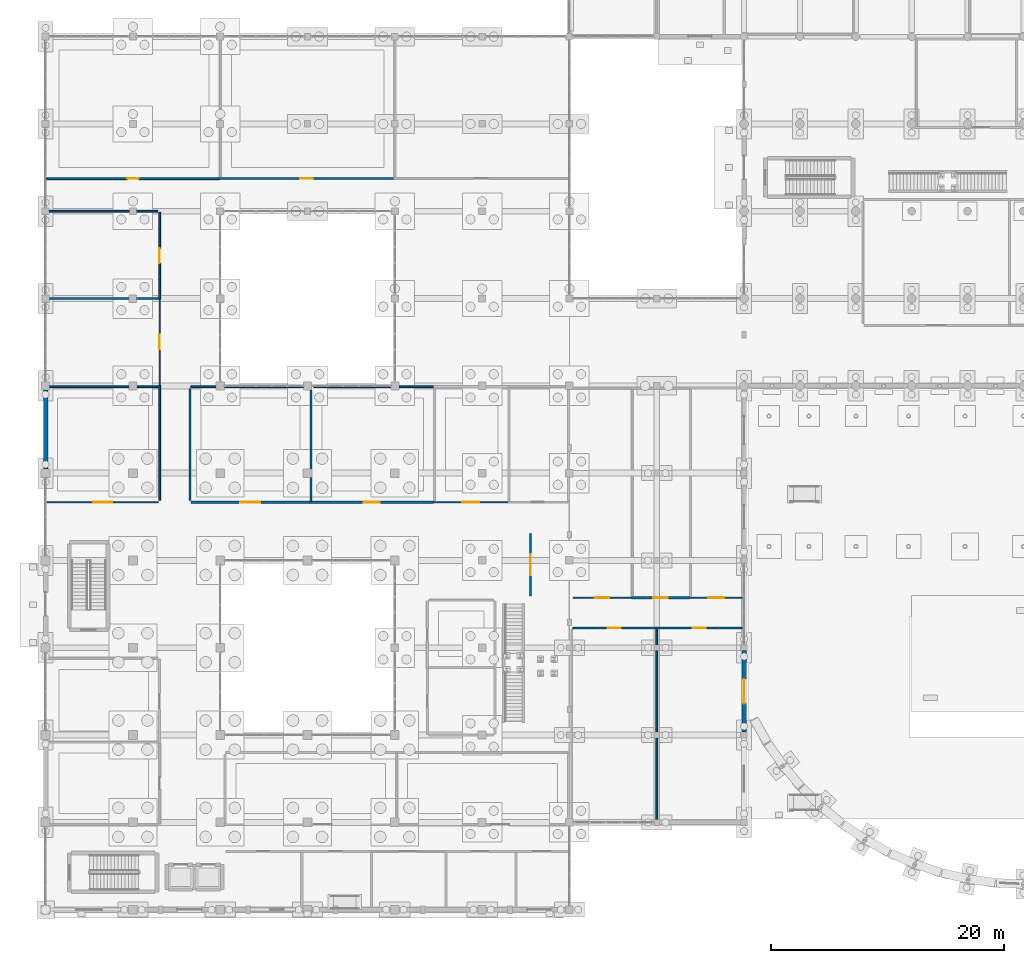
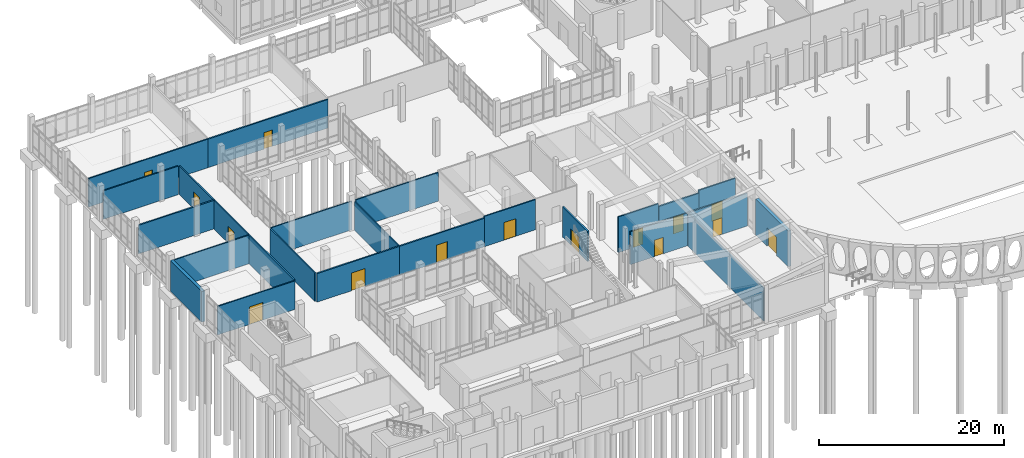
# One storey, part 149 of 173: 25 walls, 15 doors, 15 openings.
"""IFC4 building model written with IfcOpenShell, lengths in metres."""

from ifc_helpers import new_model, si_unit, direction, frame, frame_2d, origin, place, context, subcontext, project, spatial, rectangle, extrude, material, layer, layer_set, type_object, element, fill, save


model = new_model("IFC4")

# Units and contexts
model_context = context("Model", 3, precision=1e-05, world=origin(), true_north=direction((0.0, 1.0)))
body_context = subcontext(model_context, "Body", "Model", "MODEL_VIEW")
ifc_project = project(units=[si_unit("LENGTHUNIT", "METRE"), si_unit("AREAUNIT", "SQUARE_METRE"), si_unit("VOLUMEUNIT", "CUBIC_METRE"), si_unit("PLANEANGLEUNIT", "RADIAN"), si_unit("MASSUNIT", "GRAM", prefix="KILO")], contexts=[model_context])

# Site, building, storey
site_placement = place(None, origin())
site = spatial("IfcSite", under=ifc_project, at=site_placement, CompositionType="ELEMENT")
building_placement = place(site_placement, origin())
building = spatial("IfcBuilding", under=site, at=building_placement, Name="Mawjan Specialist Oncology Clinic", CompositionType="ELEMENT")
storey_placement = place(building_placement, origin())
storey = spatial("IfcBuildingStorey", under=building, at=storey_placement, Name="L00", CompositionType="ELEMENT", Elevation=0.0)

# Wall
ifc_material_1 = material(Name="Precast concrete C40/50", Category="concrete")
ifc_layer_1 = layer(ifc_material_1, 0.3798828125, Name="Precast concrete C40/50", Category="concrete")
ifc_layer_set_1 = layer_set([ifc_layer_1], Name="Precast concrete C40/50")
wall_type_1 = type_object("IfcWallType", Name="EW-380", PredefinedType="SOLIDWALL", material=ifc_layer_set_1)
wall_1_placement = place(storey_placement, frame((0.0, 38.675048828125, 0.0), z_axis=(0.0, 0.0, 1.0), x_axis=(0.0, 1.0, 0.0)))
element("IfcWall", 1, at=wall_1_placement, inside=storey, type_object=wall_type_1, Name="L00 Coral-Limestone Exterior Wall EW-L00-014", PredefinedType="SOLIDWALL", context=body_context, shape_type="SweptSolid", body=[
    extrude(rectangle(XDim=6.77490234375, YDim=0.3798828125, at=frame_2d((3.387451171875, 0.0))), origin(), (0.0, 0.0, 1.0), 4.034912109375),
])

# Wall, opening, door
wall_2_placement = place(storey_placement, frame((60.0, 23.050048828125, 0.0), z_axis=(0.0, 0.0, 1.0), x_axis=(0.0, -1.0, 0.0)))
wall_2 = element("IfcWall", 2, at=wall_2_placement, inside=storey, type_object=wall_type_1, Name="L00 Coral-Limestone Exterior Wall EW-L00-057", PredefinedType="SOLIDWALL", context=body_context, shape_type="SweptSolid", body=[
    extrude(rectangle(XDim=7.0, YDim=0.3798828125, at=frame_2d((3.5, 0.0))), origin(), (0.0, 0.0, 1.0), 4.699951171875),
])
opening_1_placement = place(wall_2_placement, frame((2.449951171875, 0.0, 0.0)))
opening_1 = element("IfcOpeningElement", 3, at=opening_1_placement, cuts=wall_2, Name="Opening DE-210", PredefinedType="OPENING", context=body_context, shape_type="SweptSolid", body=[
    extrude(rectangle(XDim=2.10009765625, YDim=2.39990234375, at=frame_2d((1.050048828125, 1.199951171875))), frame((0.0, 0.201904296875, 0.0), z_axis=(0.0, -1.0, 0.0), x_axis=(1.0, 0.0, 0.0)), (0.0, 0.0, 1.0), 0.40380859375),
])
ifc_material_2 = material(Name="Insulated marine-grade aluminium entrance assembly", Category="aluminium")
door_type_1 = type_object("IfcDoorType", Name="DE-210", OperationType="DOUBLE_DOOR_SINGLE_SWING", PredefinedType="DOOR", material=ifc_material_2)
door_1_placement = place(opening_1_placement, origin())
door_1 = element("IfcDoor", 4, at=door_1_placement, inside=storey, type_object=door_type_1, Name="Main Pedestrian Final Exit Door E-12", OperationType="DOUBLE_DOOR_SINGLE_SWING", OverallHeight=2.39990234375, OverallWidth=2.10009765625, PredefinedType="DOOR", context=body_context, shape_type="SweptSolid", body=[
    extrude(rectangle(XDim=2.10009765625, YDim=2.39990234375, at=frame_2d((1.050048828125, 1.199951171875))), frame((0.0, 0.02490234375, 0.0), z_axis=(0.0, -1.0, 0.0), x_axis=(1.0, 0.0, 0.0)), (0.0, 0.0, 1.0), 0.050048828125),
])
fill(opening_1, door_1)

ifc_material_3 = material(Name="Acoustic gypsum clinical partition", Category="gypsum")
ifc_layer_2 = layer(ifc_material_3, 0.14990234375, Name="Acoustic gypsum clinical partition", Category="gypsum")
ifc_layer_set_2 = layer_set([ifc_layer_2], Name="Acoustic gypsum clinical partition")
wall_type_2 = type_object("IfcWallType", Name="WP-150", PredefinedType="PARTITIONING", material=ifc_layer_set_2)
wall_3_placement = place(storey_placement, frame((0.10205078125, 35.800048828125, 0.0), z_axis=(0.0, 0.0, 1.0), x_axis=(1.0, 0.0, 0.0)))
wall_3 = element("IfcWall", 5, at=wall_3_placement, inside=storey, type_object=wall_type_2, Name="L00 Interior Partition W-INT-L00-006-C", PredefinedType="PARTITIONING", context=body_context, shape_type="SweptSolid", body=[
    extrude(rectangle(XDim=9.613037109375, YDim=0.14990234375, at=frame_2d((4.806640625, 0.0))), origin(), (0.0, 0.0, 1.0), 3.764892578125),
])
opening_2_placement = place(wall_3_placement, frame((3.9814453125, 0.0, 0.0)))
opening_2 = element("IfcOpeningElement", 6, at=opening_2_placement, cuts=wall_3, Name="Opening DC-165", PredefinedType="OPENING", context=body_context, shape_type="SweptSolid", body=[
    extrude(rectangle(XDim=1.64990234375, YDim=2.320068359375, at=frame_2d((0.824951171875, 1.16015625))), frame((0.0, 0.0869140625, 0.0), z_axis=(0.0, -1.0, 0.0), x_axis=(1.0, 0.0, 0.0)), (0.0, 0.0, 1.0), 0.173828125),
])
ifc_material_4 = material(Name="Acoustic laminate hospital door leaf", Category="wood")
door_type_2 = type_object("IfcDoorType", Name="DC-165", OperationType="NOTDEFINED", PredefinedType="DOOR", material=ifc_material_4)
door_2_placement = place(opening_2_placement, origin())
door_2 = element("IfcDoor", 7, at=door_2_placement, inside=storey, type_object=door_type_2, Name="L00 Medical Oncology Consulting Room Door", OperationType="SINGLE_SWING_LEFT", OverallHeight=2.320068359375, OverallWidth=1.64990234375, PredefinedType="DOOR", context=body_context, shape_type="SweptSolid", body=[
    extrude(rectangle(XDim=1.64990234375, YDim=2.320068359375, at=frame_2d((0.824951171875, 1.16015625))), frame((0.0, 0.02490234375, 0.0), z_axis=(0.0, -1.0, 0.0), x_axis=(1.0, 0.0, 0.0)), (0.0, 0.0, 1.0), 0.050048828125),
])
fill(opening_2, door_2)

wall_4_placement = place(storey_placement, frame((33.326904296875, 35.800048828125, 0.0), z_axis=(0.0, 0.0, 1.0), x_axis=(1.0, 0.0, 0.0)))
wall_4 = element("IfcWall", 8, at=wall_4_placement, inside=storey, type_object=wall_type_2, Name="L00 Interior Partition W-INT-L00-009-C", PredefinedType="PARTITIONING", context=body_context, shape_type="SweptSolid", body=[
    extrude(rectangle(XDim=6.38818359375, YDim=0.14990234375, at=frame_2d((3.194091796875, 0.0))), origin(), (0.0, 0.0, 1.0), 3.985107421875),
])
opening_3_placement = place(wall_4_placement, frame((2.47412109375, 0.0, 0.0)))
opening_3 = element("IfcOpeningElement", 9, at=opening_3_placement, cuts=wall_4, Name="Opening DM-CT", PredefinedType="OPENING", context=body_context, shape_type="SweptSolid", body=[
    extrude(rectangle(XDim=1.43994140625, YDim=2.320068359375, at=frame_2d((0.719970703125, 1.16015625))), frame((0.0, 0.0869140625, 0.0), z_axis=(0.0, -1.0, 0.0), x_axis=(1.0, 0.0, 0.0)), (0.0, 0.0, 1.0), 0.173828125),
])
ifc_material_5 = material(Name="Acoustic laminate hospital door leaf", Category="wood")
door_type_3 = type_object("IfcDoorType", Name="DM-CT", OperationType="NOTDEFINED", PredefinedType="DOOR", material=ifc_material_5)
door_3_placement = place(opening_3_placement, origin())
door_3 = element("IfcDoor", 10, at=door_3_placement, inside=storey, type_object=door_type_3, Name="L00 Quiet Prayer Room Door", OperationType="SINGLE_SWING_LEFT", OverallHeight=2.320068359375, OverallWidth=1.43994140625, PredefinedType="DOOR", context=body_context, shape_type="SweptSolid", body=[
    extrude(rectangle(XDim=1.43994140625, YDim=2.320068359375, at=frame_2d((0.719970703125, 1.16015625))), frame((0.0, 0.02490234375, 0.0), z_axis=(0.0, -1.0, 0.0), x_axis=(1.0, 0.0, 0.0)), (0.0, 0.0, 1.0), 0.050048828125),
])
fill(opening_3, door_3)

wall_5_placement = place(storey_placement, frame((9.800048828125, 45.885009765625, 0.0), z_axis=(0.0, 0.0, 1.0), x_axis=(0.0, 1.0, 0.0)))
wall_5 = element("IfcWall", 11, at=wall_5_placement, inside=storey, type_object=wall_type_2, Name="L00 Interior Partition W-INT-L00-015-V", PredefinedType="PARTITIONING", context=body_context, shape_type="SweptSolid", body=[
    extrude(rectangle(XDim=7.330078125, YDim=0.14990234375, at=frame_2d((3.6650390625, 0.0))), origin(), (0.0, 0.0, 1.0), 3.764892578125),
])
opening_4_placement = place(wall_5_placement, frame((3.044921875, 0.0, 0.0)))
opening_4 = element("IfcOpeningElement", 12, at=opening_4_placement, cuts=wall_5, Name="Opening DC-124", PredefinedType="OPENING", context=body_context, shape_type="SweptSolid", body=[
    extrude(rectangle(XDim=1.239990234375, YDim=2.199951171875, at=frame_2d((0.6201171875, 1.10009765625))), frame((0.0, 0.0869140625, 0.0), z_axis=(0.0, -1.0, 0.0), x_axis=(1.0, 0.0, 0.0)), (0.0, 0.0, 1.0), 0.173828125),
])
ifc_material_6 = material(Name="Acoustic laminate hospital door leaf", Category="wood")
door_type_4 = type_object("IfcDoorType", Name="DC-124", OperationType="NOTDEFINED", PredefinedType="DOOR", material=ifc_material_6)
door_4_placement = place(opening_4_placement, origin())
door_4 = element("IfcDoor", 13, at=door_4_placement, inside=storey, type_object=door_type_4, Name="L00 Audiology Testing Room Door", OperationType="SINGLE_SWING_LEFT", OverallHeight=2.199951171875, OverallWidth=1.239990234375, PredefinedType="DOOR", context=body_context, shape_type="SweptSolid", body=[
    extrude(rectangle(XDim=1.239990234375, YDim=2.199951171875, at=frame_2d((0.6201171875, 1.10009765625))), frame((0.0, 0.02490234375, 0.0), z_axis=(0.0, -1.0, 0.0), x_axis=(1.0, 0.0, 0.0)), (0.0, 0.0, 1.0), 0.050048828125),
])
fill(opening_4, door_4)

wall_6_placement = place(storey_placement, frame((9.800048828125, 53.22705078125, 0.0), z_axis=(0.0, 0.0, 1.0), x_axis=(0.0, 1.0, 0.0)))
wall_6 = element("IfcWall", 14, at=wall_6_placement, inside=storey, type_object=wall_type_2, Name="L00 Interior Partition W-INT-L00-016-V", PredefinedType="PARTITIONING", context=body_context, shape_type="SweptSolid", body=[
    extrude(rectangle(XDim=7.488037109375, YDim=0.14990234375, at=frame_2d((3.744140625, 0.0))), origin(), (0.0, 0.0, 1.0), 3.764892578125),
])
opening_5_placement = place(wall_6_placement, frame((3.10400390625, 0.0, 0.0)))
opening_5 = element("IfcOpeningElement", 15, at=opening_5_placement, cuts=wall_6, Name="Opening DC-128", PredefinedType="OPENING", context=body_context, shape_type="SweptSolid", body=[
    extrude(rectangle(XDim=1.280029296875, YDim=2.219970703125, at=frame_2d((0.64013671875, 1.10986328125))), frame((0.0, 0.0869140625, 0.0), z_axis=(0.0, -1.0, 0.0), x_axis=(1.0, 0.0, 0.0)), (0.0, 0.0, 1.0), 0.173828125),
])
ifc_material_7 = material(Name="Acoustic laminate hospital door leaf", Category="wood")
door_type_5 = type_object("IfcDoorType", Name="DC-128", OperationType="NOTDEFINED", PredefinedType="DOOR", material=ifc_material_7)
door_5_placement = place(opening_5_placement, origin())
door_5 = element("IfcDoor", 16, at=door_5_placement, inside=storey, type_object=door_type_5, Name="L00 Outpatient Procedure Prep Door", OperationType="SINGLE_SWING_RIGHT", OverallHeight=2.219970703125, OverallWidth=1.280029296875, PredefinedType="DOOR", context=body_context, shape_type="SweptSolid", body=[
    extrude(rectangle(XDim=1.280029296875, YDim=2.219970703125, at=frame_2d((0.64013671875, 1.10986328125))), frame((0.0, 0.02490234375, 0.0), z_axis=(0.0, -1.0, 0.0), x_axis=(1.0, 0.0, 0.0)), (0.0, 0.0, 1.0), 0.050048828125),
])
fill(opening_5, door_5)

wall_7_placement = place(storey_placement, frame((45.284912109375, 27.60009765625, 0.0), z_axis=(0.0, 0.0, 1.0), x_axis=(1.0, 0.0, 0.0)))
wall_7 = element("IfcWall", 17, at=wall_7_placement, inside=storey, type_object=wall_type_2, Name="L00 Interior Partition W-INT-L00-G03-C", PredefinedType="PARTITIONING", context=body_context, shape_type="SweptSolid", body=[
    extrude(rectangle(XDim=5.030029296875, YDim=0.14990234375, at=frame_2d((2.51513671875, 0.0))), origin(), (0.0, 0.0, 1.0), 4.699951171875),
])
opening_6_placement = place(wall_7_placement, frame((1.89501953125, 0.0, 0.0)))
opening_6 = element("IfcOpeningElement", 18, at=opening_6_placement, cuts=wall_7, Name="Opening DC-124", PredefinedType="OPENING", context=body_context, shape_type="SweptSolid", body=[
    extrude(rectangle(XDim=1.239990234375, YDim=2.199951171875, at=frame_2d((0.6201171875, 1.10009765625))), frame((0.0, 0.0869140625, 0.0), z_axis=(0.0, -1.0, 0.0), x_axis=(1.0, 0.0, 0.0)), (0.0, 0.0, 1.0), 0.173828125),
])
door_6_placement = place(opening_6_placement, origin())
door_6 = element("IfcDoor", 19, at=door_6_placement, inside=storey, type_object=door_type_4, Name="L00 Mindfulness Wellness Studio Door", OperationType="SINGLE_SWING_LEFT", OverallHeight=2.199951171875, OverallWidth=1.239990234375, PredefinedType="DOOR", context=body_context, shape_type="SweptSolid", body=[
    extrude(rectangle(XDim=1.239990234375, YDim=2.199951171875, at=frame_2d((0.6201171875, 1.10009765625))), frame((0.0, 0.02490234375, 0.0), z_axis=(0.0, -1.0, 0.0), x_axis=(1.0, 0.0, 0.0)), (0.0, 0.0, 1.0), 0.050048828125),
])
fill(opening_6, door_6)

wall_8_placement = place(storey_placement, frame((55.326904296875, 27.60009765625, 0.0), z_axis=(0.0, 0.0, 1.0), x_axis=(1.0, 0.0, 0.0)))
wall_8 = element("IfcWall", 20, at=wall_8_placement, inside=storey, type_object=wall_type_2, Name="L00 Interior Partition W-INT-L00-G05-C", PredefinedType="PARTITIONING", context=body_context, shape_type="SweptSolid", body=[
    extrude(rectangle(XDim=4.571044921875, YDim=0.14990234375, at=frame_2d((2.28564453125, 0.0))), origin(), (0.0, 0.0, 1.0), 4.699951171875),
])
opening_7_placement = place(wall_8_placement, frame((1.615478515625, 0.0, 0.0)))
opening_7 = element("IfcOpeningElement", 21, at=opening_7_placement, cuts=wall_8, Name="Opening DC-134", PredefinedType="OPENING", context=body_context, shape_type="SweptSolid", body=[
    extrude(rectangle(XDim=1.340087890625, YDim=2.239990234375, at=frame_2d((0.669921875, 1.1201171875))), frame((0.0, 0.0869140625, 0.0), z_axis=(0.0, -1.0, 0.0), x_axis=(1.0, 0.0, 0.0)), (0.0, 0.0, 1.0), 0.173828125),
])
ifc_material_8 = material(Name="Acoustic laminate hospital door leaf", Category="wood")
door_type_6 = type_object("IfcDoorType", Name="DC-134", OperationType="NOTDEFINED", PredefinedType="DOOR", material=ifc_material_8)
door_7_placement = place(opening_7_placement, origin())
door_7 = element("IfcDoor", 22, at=door_7_placement, inside=storey, type_object=door_type_6, Name="L00 Accessible Garden Toilet Door", OperationType="SINGLE_SWING_LEFT", OverallHeight=2.239990234375, OverallWidth=1.340087890625, PredefinedType="DOOR", context=body_context, shape_type="SweptSolid", body=[
    extrude(rectangle(XDim=1.340087890625, YDim=2.239990234375, at=frame_2d((0.669921875, 1.1201171875))), frame((0.0, 0.02490234375, 0.0), z_axis=(0.0, -1.0, 0.0), x_axis=(1.0, 0.0, 0.0)), (0.0, 0.0, 1.0), 0.050048828125),
])
fill(opening_7, door_7)

# Walls
wall_9_placement = place(storey_placement, frame((0.33203125, 45.719970703125, 0.0), z_axis=(0.0, 0.0, 1.0), x_axis=(1.0, 0.0, 0.0)))
element("IfcWall", 23, at=wall_9_placement, inside=storey, type_object=wall_type_2, Name="L00 Interior Partition W-INT-L00-006-R", PredefinedType="PARTITIONING", context=body_context, shape_type="SweptSolid", body=[
    extrude(rectangle(XDim=9.383056640625, YDim=0.14990234375, at=frame_2d((4.69140625, 0.0))), origin(), (0.0, 0.0, 1.0), 3.764892578125),
])
wall_10_placement = place(storey_placement, frame((12.485107421875, 45.719970703125, 0.0), z_axis=(0.0, 0.0, 1.0), x_axis=(1.0, 0.0, 0.0)))
element("IfcWall", 24, at=wall_10_placement, inside=storey, type_object=wall_type_2, Name="L00 Interior Partition W-INT-L00-007-R", PredefinedType="PARTITIONING", context=body_context, shape_type="SweptSolid", body=[
    extrude(rectangle(XDim=10.06298828125, YDim=0.14990234375, at=frame_2d((5.031494140625, 0.0))), origin(), (0.0, 0.0, 1.0), 3.764892578125),
])
wall_11_placement = place(storey_placement, frame((22.800048828125, 35.902099609375, 0.0), z_axis=(0.0, 0.0, 1.0), x_axis=(0.0, 1.0, 0.0)))
element("IfcWall", 25, at=wall_11_placement, inside=storey, type_object=wall_type_2, Name="L00 Interior Partition W-INT-L00-007-D", PredefinedType="PARTITIONING", context=body_context, shape_type="SweptSolid", body=[
    extrude(rectangle(XDim=9.535888671875, YDim=0.14990234375, at=frame_2d((4.76806640625, 0.0))), origin(), (0.0, 0.0, 1.0), 3.764892578125),
])
wall_12_placement = place(storey_placement, frame((0.31201171875, 60.800048828125, 0.0), z_axis=(0.0, 0.0, 1.0), x_axis=(1.0, 0.0, 0.0)))
element("IfcWall", 26, at=wall_12_placement, inside=storey, type_object=wall_type_2, Name="L00 Interior Partition W-INT-L00-016-H", PredefinedType="PARTITIONING", context=body_context, shape_type="SweptSolid", body=[
    extrude(rectangle(XDim=9.322998046875, YDim=0.14990234375, at=frame_2d((4.66162109375, 0.0))), origin(), (0.0, 0.0, 1.0), 3.764892578125),
])
wall_13_placement = place(storey_placement, frame((52.5, 8.56201171875, 0.0), z_axis=(0.0, 0.0, 1.0), x_axis=(0.0, 1.0, 0.0)))
element("IfcWall", 27, at=wall_13_placement, inside=storey, type_object=wall_type_2, Name="L00 Interior Partition W-INT-L00-G01-D", PredefinedType="PARTITIONING", context=body_context, shape_type="SweptSolid", body=[
    extrude(rectangle(XDim=16.3359375, YDim=0.14990234375, at=frame_2d((8.16796875, 0.0))), origin(), (0.0, 0.0, 1.0), 4.314697265625),
])

# Wall, opening, door
ifc_material_9 = material(Name="Acoustic clinical twin-stud partition", Category="gypsum")
ifc_layer_3 = layer(ifc_material_9, 0.159912109375, Name="Acoustic clinical twin-stud partition", Category="gypsum")
ifc_layer_set_3 = layer_set([ifc_layer_3], Name="Acoustic clinical twin-stud partition")
wall_type_3 = type_object("IfcWallType", Name="WP-160", PredefinedType="PARTITIONING", material=ifc_layer_set_3)
wall_14_placement = place(storey_placement, frame((0.10205078125, 63.60009765625, 0.0), z_axis=(0.0, 0.0, 1.0), x_axis=(1.0, 0.0, 0.0)))
wall_14 = element("IfcWall", 28, at=wall_14_placement, inside=storey, type_object=wall_type_3, Name="L00 Interior Partition W-INT-L00-012-C", PredefinedType="PARTITIONING", context=body_context, shape_type="SweptSolid", body=[
    extrude(rectangle(XDim=14.81298828125, YDim=0.159912109375, at=frame_2d((7.406494140625, 0.0))), origin(), (0.0, 0.0, 1.0), 3.764892578125),
])
opening_8_placement = place(wall_14_placement, frame((6.91650390625, 0.0, 0.0)))
opening_8 = element("IfcOpeningElement", 29, at=opening_8_placement, cuts=wall_14, Name="Opening DI-98", PredefinedType="OPENING", context=body_context, shape_type="SweptSolid", body=[
    extrude(rectangle(XDim=0.97998046875, YDim=2.1201171875, at=frame_2d((0.489990234375, 1.06005859375))), frame((0.0, 0.092041015625, 0.0), z_axis=(0.0, -1.0, 0.0), x_axis=(1.0, 0.0, 0.0)), (0.0, 0.0, 1.0), 0.183837890625),
])
ifc_material_10 = material(Name="Acoustic laminate hospital door leaf", Category="wood")
door_type_7 = type_object("IfcDoorType", Name="DI-98", OperationType="NOTDEFINED", PredefinedType="DOOR", material=ifc_material_10)
door_8_placement = place(opening_8_placement, origin())
door_8 = element("IfcDoor", 30, at=door_8_placement, inside=storey, type_object=door_type_7, Name="L00 Breast Oncology Outpatient Clinic Door", OperationType="SINGLE_SWING_LEFT", OverallHeight=2.1201171875, OverallWidth=0.97998046875, PredefinedType="DOOR", context=body_context, shape_type="SweptSolid", body=[
    extrude(rectangle(XDim=0.97998046875, YDim=2.1201171875, at=frame_2d((0.489990234375, 1.06005859375))), frame((0.0, 0.02490234375, 0.0), z_axis=(0.0, -1.0, 0.0), x_axis=(1.0, 0.0, 0.0)), (0.0, 0.0, 1.0), 0.050048828125),
])
fill(opening_8, door_8)

wall_15_placement = place(storey_placement, frame((45.284912109375, 25.0, 0.0), z_axis=(0.0, 0.0, 1.0), x_axis=(1.0, 0.0, 0.0)))
wall_15 = element("IfcWall", 31, at=wall_15_placement, inside=storey, type_object=wall_type_3, Name="L00 Interior Partition W-INT-L00-G01-C", PredefinedType="PARTITIONING", context=body_context, shape_type="SweptSolid", body=[
    extrude(rectangle(XDim=7.130126953125, YDim=0.159912109375, at=frame_2d((3.56494140625, 0.0))), origin(), (0.0, 0.0, 1.0), 4.321044921875),
])
opening_9_placement = place(wall_15_placement, frame((3.02490234375, 0.0, 0.0)))
opening_9 = element("IfcOpeningElement", 32, at=opening_9_placement, cuts=wall_15, Name="Opening DI-108", PredefinedType="OPENING", context=body_context, shape_type="SweptSolid", body=[
    extrude(rectangle(XDim=1.080078125, YDim=2.179931640625, at=frame_2d((0.5400390625, 1.08984375))), frame((0.0, 0.092041015625, 0.0), z_axis=(0.0, -1.0, 0.0), x_axis=(1.0, 0.0, 0.0)), (0.0, 0.0, 1.0), 0.183837890625),
])
ifc_material_11 = material(Name="Acoustic laminate hospital door leaf", Category="wood")
door_type_8 = type_object("IfcDoorType", Name="DI-108", OperationType="NOTDEFINED", PredefinedType="DOOR", material=ifc_material_11)
door_9_placement = place(opening_9_placement, origin())
door_9 = element("IfcDoor", 33, at=door_9_placement, inside=storey, type_object=door_type_8, Name="L00 Healing Garden Cafe and Dining Door", OperationType="SINGLE_SWING_LEFT", OverallHeight=2.179931640625, OverallWidth=1.080078125, PredefinedType="DOOR", context=body_context, shape_type="SweptSolid", body=[
    extrude(rectangle(XDim=1.080078125, YDim=2.179931640625, at=frame_2d((0.5400390625, 1.08984375))), frame((0.0, 0.02490234375, 0.0), z_axis=(0.0, -1.0, 0.0), x_axis=(1.0, 0.0, 0.0)), (0.0, 0.0, 1.0), 0.050048828125),
])
fill(opening_9, door_9)

# Walls
wall_16_placement = place(storey_placement, frame((23.052001953125, 45.719970703125, 0.0), z_axis=(0.0, 0.0, 1.0), x_axis=(1.0, 0.0, 0.0)))
element("IfcWall", 34, at=wall_16_placement, inside=storey, type_object=wall_type_3, Name="L00 Interior Partition W-INT-L00-008-R", PredefinedType="PARTITIONING", context=body_context, shape_type="SweptSolid", body=[
    extrude(rectangle(XDim=10.262939453125, YDim=0.159912109375, at=frame_2d((5.13134765625, 0.0))), origin(), (0.0, 0.0, 1.0), 3.764892578125),
])
wall_17_placement = place(storey_placement, frame((9.800048828125, 35.965087890625, 0.0), z_axis=(0.0, 0.0, 1.0), x_axis=(0.0, 1.0, 0.0)))
element("IfcWall", 35, at=wall_17_placement, inside=storey, type_object=wall_type_3, Name="L00 Interior Partition W-INT-L00-006-D", PredefinedType="PARTITIONING", context=body_context, shape_type="SweptSolid", body=[
    extrude(rectangle(XDim=9.907958984375, YDim=0.159912109375, at=frame_2d((4.9541015625, 0.0))), origin(), (0.0, 0.0, 1.0), 3.764892578125),
])
wall_18_placement = place(storey_placement, frame((12.39990234375, 35.965087890625, 0.0), z_axis=(0.0, 0.0, 1.0), x_axis=(0.0, 1.0, 0.0)))
element("IfcWall", 36, at=wall_18_placement, inside=storey, type_object=wall_type_3, Name="L00 Interior Partition W-INT-L00-007-D0", PredefinedType="PARTITIONING", context=body_context, shape_type="SweptSolid", body=[
    extrude(rectangle(XDim=9.58984375, YDim=0.159912109375, at=frame_2d((4.794921875, 0.0))), origin(), (0.0, 0.0, 1.0), 3.764892578125),
])

# Wall, opening, door
ifc_material_12 = material(Name="Lead-lined radiation-shielded clinical partition", Category="gypsum")
ifc_layer_4 = layer(ifc_material_12, 0.179931640625, Name="Lead-lined radiation-shielded clinical partition", Category="gypsum")
ifc_layer_set_4 = layer_set([ifc_layer_4], Name="Lead-lined radiation-shielded clinical partition")
wall_type_4 = type_object("IfcWallType", Name="WP-180", PredefinedType="PARTITIONING", material=ifc_layer_set_4)
wall_19_placement = place(storey_placement, frame((12.485107421875, 35.800048828125, 0.0), z_axis=(0.0, 0.0, 1.0), x_axis=(1.0, 0.0, 0.0)))
wall_19 = element("IfcWall", 37, at=wall_19_placement, inside=storey, type_object=wall_type_4, Name="L00 Interior Partition W-INT-L00-007-C", PredefinedType="PARTITIONING", context=body_context, shape_type="SweptSolid", body=[
    extrude(rectangle(XDim=10.22998046875, YDim=0.179931640625, at=frame_2d((5.114990234375, 0.0))), origin(), (0.0, 0.0, 1.0), 3.764892578125),
])
opening_10_placement = place(wall_19_placement, frame((4.2548828125, 0.0, 0.0)))
opening_10 = element("IfcOpeningElement", 38, at=opening_10_placement, cuts=wall_19, Name="Opening DC-172", PredefinedType="OPENING", context=body_context, shape_type="SweptSolid", body=[
    extrude(rectangle(XDim=1.719970703125, YDim=2.340087890625, at=frame_2d((0.85986328125, 1.169921875))), frame((0.0, 0.10205078125, 0.0), z_axis=(0.0, -1.0, 0.0), x_axis=(1.0, 0.0, 0.0)), (0.0, 0.0, 1.0), 0.203857421875),
])
ifc_material_13 = material(Name="Acoustic laminate hospital door leaf", Category="wood")
door_type_9 = type_object("IfcDoorType", Name="DC-172", OperationType="NOTDEFINED", PredefinedType="DOOR", material=ifc_material_13)
door_10_placement = place(opening_10_placement, origin())
door_10 = element("IfcDoor", 39, at=door_10_placement, inside=storey, type_object=door_type_9, Name="L00 Surgical Oncology Exam Suite Door", OperationType="SINGLE_SWING_LEFT", OverallHeight=2.340087890625, OverallWidth=1.719970703125, PredefinedType="DOOR", context=body_context, shape_type="SweptSolid", body=[
    extrude(rectangle(XDim=1.719970703125, YDim=2.340087890625, at=frame_2d((0.85986328125, 1.169921875))), frame((0.0, 0.02490234375, 0.0), z_axis=(0.0, -1.0, 0.0), x_axis=(1.0, 0.0, 0.0)), (0.0, 0.0, 1.0), 0.050048828125),
])
fill(opening_10, door_10)

wall_20_placement = place(storey_placement, frame((22.72705078125, 35.800048828125, 0.0), z_axis=(0.0, 0.0, 1.0), x_axis=(1.0, 0.0, 0.0)))
wall_20 = element("IfcWall", 40, at=wall_20_placement, inside=storey, type_object=wall_type_4, Name="L00 Interior Partition W-INT-L00-008-C", PredefinedType="PARTITIONING", context=body_context, shape_type="SweptSolid", body=[
    extrude(rectangle(XDim=10.587890625, YDim=0.179931640625, at=frame_2d((5.2939453125, 0.0))), origin(), (0.0, 0.0, 1.0), 3.764892578125),
])
opening_11_placement = place(wall_20_placement, frame((4.60400390625, 0.0, 0.0)))
opening_11 = element("IfcOpeningElement", 41, at=opening_11_placement, cuts=wall_20, Name="Opening DM-MRI", PredefinedType="OPENING", context=body_context, shape_type="SweptSolid", body=[
    extrude(rectangle(XDim=1.3798828125, YDim=2.300048828125, at=frame_2d((0.68994140625, 1.14990234375))), frame((0.0, 0.10205078125, 0.0), z_axis=(0.0, -1.0, 0.0), x_axis=(1.0, 0.0, 0.0)), (0.0, 0.0, 1.0), 0.203857421875),
])
ifc_material_14 = material(Name="Acoustic laminate hospital door leaf", Category="wood")
door_type_10 = type_object("IfcDoorType", Name="DM-MRI", OperationType="NOTDEFINED", PredefinedType="DOOR", material=ifc_material_14)
door_11_placement = place(opening_11_placement, origin())
door_11 = element("IfcDoor", 42, at=door_11_placement, inside=storey, type_object=door_type_10, Name="L00 Outpatient Triage Assessment Room Door", OperationType="SINGLE_SWING_RIGHT", OverallHeight=2.300048828125, OverallWidth=1.3798828125, PredefinedType="DOOR", context=body_context, shape_type="SweptSolid", body=[
    extrude(rectangle(XDim=1.3798828125, YDim=2.300048828125, at=frame_2d((0.68994140625, 1.14990234375))), frame((0.0, 0.02490234375, 0.0), z_axis=(0.0, -1.0, 0.0), x_axis=(1.0, 0.0, 0.0)), (0.0, 0.0, 1.0), 0.050048828125),
])
fill(opening_11, door_11)

wall_21_placement = place(storey_placement, frame((14.927001953125, 63.60009765625, 0.0), z_axis=(0.0, 0.0, 1.0), x_axis=(1.0, 0.0, 0.0)))
wall_21 = element("IfcWall", 43, at=wall_21_placement, inside=storey, type_object=wall_type_4, Name="L00 Interior Partition W-INT-L00-013-C", PredefinedType="PARTITIONING", context=body_context, shape_type="SweptSolid", body=[
    extrude(rectangle(XDim=14.988037109375, YDim=0.179931640625, at=frame_2d((7.494140625, 0.0))), origin(), (0.0, 0.0, 1.0), 3.764892578125),
])
opening_12_placement = place(wall_21_placement, frame((6.9541015625, 0.0, 0.0)))
opening_12 = element("IfcOpeningElement", 44, at=opening_12_placement, cuts=wall_21, Name="Opening DI-108", PredefinedType="OPENING", context=body_context, shape_type="SweptSolid", body=[
    extrude(rectangle(XDim=1.080078125, YDim=2.179931640625, at=frame_2d((0.5400390625, 1.08984375))), frame((0.0, 0.10205078125, 0.0), z_axis=(0.0, -1.0, 0.0), x_axis=(1.0, 0.0, 0.0)), (0.0, 0.0, 1.0), 0.203857421875),
])
door_12_placement = place(opening_12_placement, origin())
door_12 = element("IfcDoor", 45, at=door_12_placement, inside=storey, type_object=door_type_8, Name="L00 Head and Neck Oncology Suite Door", OperationType="SINGLE_SWING_RIGHT", OverallHeight=2.179931640625, OverallWidth=1.080078125, PredefinedType="DOOR", context=body_context, shape_type="SweptSolid", body=[
    extrude(rectangle(XDim=1.080078125, YDim=2.179931640625, at=frame_2d((0.5400390625, 1.08984375))), frame((0.0, 0.02490234375, 0.0), z_axis=(0.0, -1.0, 0.0), x_axis=(1.0, 0.0, 0.0)), (0.0, 0.0, 1.0), 0.050048828125),
])
fill(opening_12, door_12)

wall_22_placement = place(storey_placement, frame((52.427001953125, 25.0, 0.0), z_axis=(0.0, 0.0, 1.0), x_axis=(1.0, 0.0, 0.0)))
wall_22 = element("IfcWall", 46, at=wall_22_placement, inside=storey, type_object=wall_type_4, Name="L00 Interior Partition W-INT-L00-G02-C", PredefinedType="PARTITIONING", context=body_context, shape_type="SweptSolid", body=[
    extrude(rectangle(XDim=7.470947265625, YDim=0.179931640625, at=frame_2d((3.7353515625, 0.0))), origin(), (0.0, 0.0, 1.0), 4.321044921875),
])
opening_13_placement = place(wall_22_placement, frame((3.175537109375, 0.0, 0.0)))
opening_13 = element("IfcOpeningElement", 47, at=opening_13_placement, cuts=wall_22, Name="Opening DI-112", PredefinedType="OPENING", context=body_context, shape_type="SweptSolid", body=[
    extrude(rectangle(XDim=1.1201171875, YDim=2.199951171875, at=frame_2d((0.56005859375, 1.10009765625))), frame((0.0, 0.10205078125, 0.0), z_axis=(0.0, -1.0, 0.0), x_axis=(1.0, 0.0, 0.0)), (0.0, 0.0, 1.0), 0.203857421875),
])
ifc_material_15 = material(Name="Acoustic laminate hospital door leaf", Category="wood")
door_type_11 = type_object("IfcDoorType", Name="DI-112", OperationType="NOTDEFINED", PredefinedType="DOOR", material=ifc_material_15)
door_13_placement = place(opening_13_placement, origin())
door_13 = element("IfcDoor", 48, at=door_13_placement, inside=storey, type_object=door_type_11, Name="L00 Patient and Family Garden Lounge Door", OperationType="SINGLE_SWING_RIGHT", OverallHeight=2.199951171875, OverallWidth=1.1201171875, PredefinedType="DOOR", context=body_context, shape_type="SweptSolid", body=[
    extrude(rectangle(XDim=1.1201171875, YDim=2.199951171875, at=frame_2d((0.56005859375, 1.10009765625))), frame((0.0, 0.02490234375, 0.0), z_axis=(0.0, -1.0, 0.0), x_axis=(1.0, 0.0, 0.0)), (0.0, 0.0, 1.0), 0.050048828125),
])
fill(opening_13, door_13)

wall_23_placement = place(storey_placement, frame((50.326904296875, 27.60009765625, 0.0), z_axis=(0.0, 0.0, 1.0), x_axis=(1.0, 0.0, 0.0)))
wall_23 = element("IfcWall", 49, at=wall_23_placement, inside=storey, type_object=wall_type_4, Name="L00 Interior Partition W-INT-L00-G04-C", PredefinedType="PARTITIONING", context=body_context, shape_type="SweptSolid", body=[
    extrude(rectangle(XDim=4.988037109375, YDim=0.179931640625, at=frame_2d((2.494140625, 0.0))), origin(), (0.0, 0.0, 1.0), 4.321044921875),
])
opening_14_placement = place(wall_23_placement, frame((1.85400390625, 0.0, 0.0)))
opening_14 = element("IfcOpeningElement", 50, at=opening_14_placement, cuts=wall_23, Name="Opening DC-128", PredefinedType="OPENING", context=body_context, shape_type="SweptSolid", body=[
    extrude(rectangle(XDim=1.280029296875, YDim=2.219970703125, at=frame_2d((0.64013671875, 1.10986328125))), frame((0.0, 0.10205078125, 0.0), z_axis=(0.0, -1.0, 0.0), x_axis=(1.0, 0.0, 0.0)), (0.0, 0.0, 1.0), 0.203857421875),
])
door_14_placement = place(opening_14_placement, origin())
door_14 = element("IfcDoor", 51, at=door_14_placement, inside=storey, type_object=door_type_5, Name="L00 Pavilion Prayer Room Door", OperationType="SINGLE_SWING_RIGHT", OverallHeight=2.219970703125, OverallWidth=1.280029296875, PredefinedType="DOOR", context=body_context, shape_type="SweptSolid", body=[
    extrude(rectangle(XDim=1.280029296875, YDim=2.219970703125, at=frame_2d((0.64013671875, 1.10986328125))), frame((0.0, 0.02490234375, 0.0), z_axis=(0.0, -1.0, 0.0), x_axis=(1.0, 0.0, 0.0)), (0.0, 0.0, 1.0), 0.050048828125),
])
fill(opening_14, door_14)

# Wall
wall_24_placement = place(storey_placement, frame((0.3369140625, 53.300048828125, 0.0), z_axis=(0.0, 0.0, 1.0), x_axis=(1.0, 0.0, 0.0)))
element("IfcWall", 52, at=wall_24_placement, inside=storey, type_object=wall_type_4, Name="L00 Interior Partition W-INT-L00-015-H", PredefinedType="PARTITIONING", context=body_context, shape_type="SweptSolid", body=[
    extrude(rectangle(XDim=9.3759765625, YDim=0.179931640625, at=frame_2d((4.68798828125, 0.0))), origin(), (0.0, 0.0, 1.0), 3.764892578125),
])

# Wall, opening, door
ifc_material_16 = material(Name="Insulated fire-rated gypsum stud partition", Category="gypsum")
ifc_layer_5 = layer(ifc_material_16, 0.199951171875, Name="Insulated fire-rated gypsum stud partition", Category="gypsum")
ifc_layer_set_5 = layer_set([ifc_layer_5], Name="Insulated fire-rated gypsum stud partition")
wall_type_5 = type_object("IfcWallType", Name="WS-60", PredefinedType="PARTITIONING", material=ifc_layer_set_5)
wall_25_placement = place(storey_placement, frame((41.64990234375, 27.735107421875, 0.0), z_axis=(0.0, 0.0, 1.0), x_axis=(0.0, 1.0, 0.0)))
wall_25 = element("IfcWall", 53, at=wall_25_placement, inside=storey, type_object=wall_type_5, Name="L00 Interior Partition W-SMK-L00-V4ST", PredefinedType="PARTITIONING", context=body_context, shape_type="SweptSolid", body=[
    extrude(rectangle(XDim=5.3798828125, YDim=0.199951171875, at=frame_2d((2.68994140625, 0.0))), origin(), (0.0, 0.0, 1.0), 3.985107421875),
])
opening_15_placement = place(wall_25_placement, frame((1.7900390625, 0.0, 0.0)))
opening_15 = element("IfcOpeningElement", 54, at=opening_15_placement, cuts=wall_25, Name="Opening DS-180", PredefinedType="OPENING", context=body_context, shape_type="SweptSolid", body=[
    extrude(rectangle(XDim=1.800048828125, YDim=2.14990234375, at=frame_2d((0.89990234375, 1.074951171875))), frame((0.0, 0.112060546875, 0.0), z_axis=(0.0, -1.0, 0.0), x_axis=(1.0, 0.0, 0.0)), (0.0, 0.0, 1.0), 0.223876953125),
])
ifc_material_17 = material(Name="Stainless-steel fire-rated hospital door", Category="steel")
door_type_12 = type_object("IfcDoorType", Name="DS-180", OperationType="DOUBLE_DOOR_SINGLE_SWING", PredefinedType="DOOR", material=ifc_material_17)
door_15_placement = place(opening_15_placement, origin())
door_15 = element("IfcDoor", 55, at=door_15_placement, inside=storey, type_object=door_type_12, Name="L00 Communicating Stair Lobby Smoke Door", OperationType="DOUBLE_DOOR_SINGLE_SWING", OverallHeight=2.14990234375, OverallWidth=1.800048828125, PredefinedType="DOOR", context=body_context, shape_type="SweptSolid", body=[
    extrude(rectangle(XDim=1.800048828125, YDim=2.14990234375, at=frame_2d((0.89990234375, 1.074951171875))), frame((0.0, 0.02490234375, 0.0), z_axis=(0.0, -1.0, 0.0), x_axis=(1.0, 0.0, 0.0)), (0.0, 0.0, 1.0), 0.050048828125),
])
fill(opening_15, door_15)

save(model, "model.ifc")
